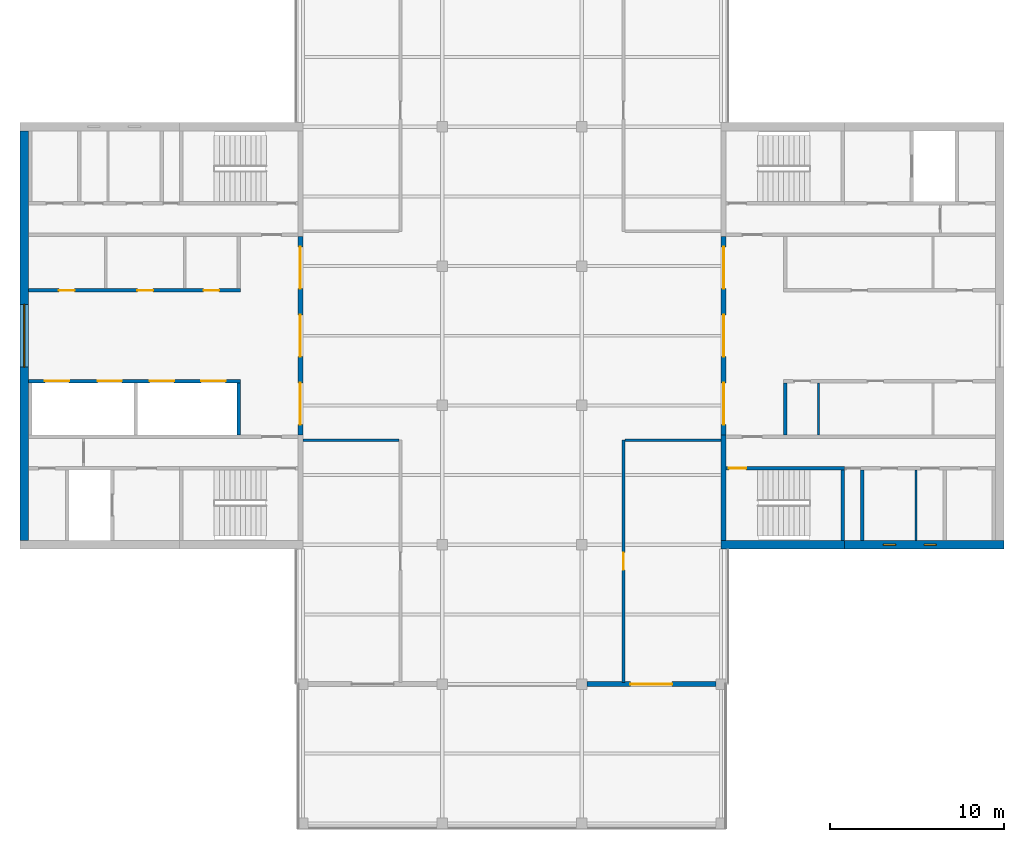
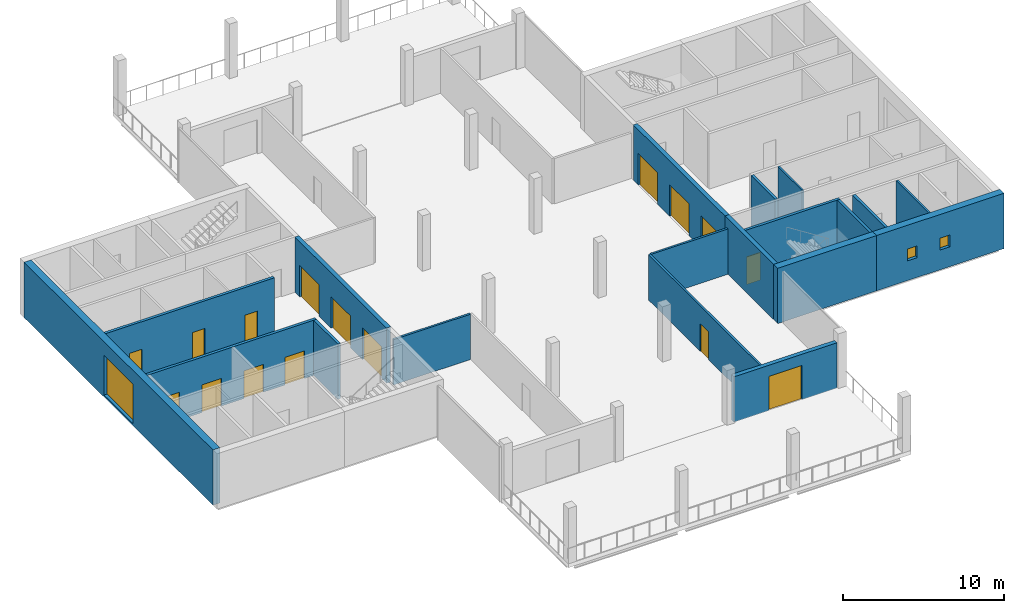
# One storey, part 8 of 12: 19 walls, 16 doors, 3 windows, 19 openings.
"""IFC4 building model written with IfcOpenShell, lengths in metres."""

from ifc_helpers import new_model, si_unit, direction, frame, frame_2d, origin, place, context, subcontext, project, spatial, rectangle, extrude, material, layer, layer_set, constituent, constituent_set, type_object, element, fill, save


model = new_model("IFC4")

# Units and contexts
model_context = context("Model", 3, precision=1e-05, world=origin(), true_north=direction((0.0, 1.0)))
body_context = subcontext(model_context, "Body", "Model", "MODEL_VIEW")
ifc_project = project(units=[si_unit("LENGTHUNIT", "METRE"), si_unit("AREAUNIT", "SQUARE_METRE"), si_unit("VOLUMEUNIT", "CUBIC_METRE"), si_unit("PLANEANGLEUNIT", "RADIAN"), si_unit("MASSUNIT", "GRAM", prefix="KILO")], contexts=[model_context])

# Site, building, storey
site_placement = place(None, origin())
site = spatial("IfcSite", under=ifc_project, at=site_placement, CompositionType="ELEMENT")
building_placement = place(site_placement, origin())
building = spatial("IfcBuilding", under=site, at=building_placement, Name="Crosswind Convention Tower", CompositionType="ELEMENT")
storey_placement = place(building_placement, frame((0.0, 0.0, 332.300048828125)))
storey = spatial("IfcBuildingStorey", under=building, at=storey_placement, Name="L72", CompositionType="ELEMENT", Elevation=332.300048828125)

# Wall
ifc_material_1 = material(Name="Concrete blockwork", Category="masonry")
ifc_layer_1 = layer(ifc_material_1, 0.199951171875)
ifc_layer_set_1 = layer_set([ifc_layer_1], Name="Blockwork partition wall 200")
wall_type_1 = type_object("IfcWallType", Name="Blockwork partition wall 200", PredefinedType="PARTITIONING", material=ifc_layer_set_1)
wall_1_placement = place(storey_placement, frame((145.10009765625, 88.25, 0.0), z_axis=(0.0, 0.0, 1.0), x_axis=(0.0, 1.0, 0.0)))
element("IfcWall", 1, at=wall_1_placement, inside=storey, type_object=wall_type_1, Name="Wall MRSE E L72", PredefinedType="PARTITIONING", context=body_context, shape_type="SweptSolid", body=[
    extrude(rectangle(XDim=4.050048828125, YDim=0.199951171875, at=frame_2d((2.02490234375, 0.0))), origin(), (0.0, 0.0, 1.0), 4.199951171875),
])

# Wall, openings, doors
ifc_material_2 = material(Name="Concrete C50/60", Category="concrete")
ifc_layer_2 = layer(ifc_material_2, 0.300048828125)
ifc_layer_set_2 = layer_set([ifc_layer_2], Name="Concrete C50/60")
wall_type_2 = type_object("IfcWallType", Name="Concrete inner core wall 300", PredefinedType="SHEAR", material=ifc_layer_set_2)
wall_2_placement = place(storey_placement, frame((137.14990234375, 94.300048828125, 0.0), z_axis=(0.0, 0.0, 1.0), x_axis=(0.0, 1.0, 0.0)))
wall_2 = element("IfcWall", 2, at=wall_2_placement, inside=storey, type_object=wall_type_2, Name="Wall SCR E L72", PredefinedType="SHEAR", context=body_context, shape_type="SweptSolid", body=[
    extrude(rectangle(XDim=11.39990234375, YDim=0.300048828125, at=frame_2d((5.699951171875, 0.0))), origin(), (0.0, 0.0, 1.0), 4.199951171875),
])
opening_1_placement = place(wall_2_placement, frame((0.60009765625, 0.0, 0.0)))
opening_1 = element("IfcOpeningElement", 3, at=opening_1_placement, cuts=wall_2, Name="Opening D100", PredefinedType="OPENING", context=body_context, shape_type="SweptSolid", body=[
    extrude(rectangle(XDim=2.39990234375, YDim=2.39990234375, at=frame_2d((1.199951171875, 1.199951171875))), frame((0.0, 0.159912109375, 0.0), z_axis=(0.0, -1.0, 0.0), x_axis=(1.0, 0.0, 0.0)), (0.0, 0.0, 1.0), 0.320068359375),
])
opening_2_placement = place(wall_2_placement, frame((4.5, 0.0, 0.0)))
opening_2 = element("IfcOpeningElement", 4, at=opening_2_placement, cuts=wall_2, Name="Opening D100", PredefinedType="OPENING", context=body_context, shape_type="SweptSolid", body=[
    extrude(rectangle(XDim=2.39990234375, YDim=2.39990234375, at=frame_2d((1.199951171875, 1.199951171875))), frame((0.0, 0.159912109375, 0.0), z_axis=(0.0, -1.0, 0.0), x_axis=(1.0, 0.0, 0.0)), (0.0, 0.0, 1.0), 0.320068359375),
])
opening_3_placement = place(wall_2_placement, frame((8.39990234375, 0.0, 0.0)))
opening_3 = element("IfcOpeningElement", 5, at=opening_3_placement, cuts=wall_2, Name="Opening D100", PredefinedType="OPENING", context=body_context, shape_type="SweptSolid", body=[
    extrude(rectangle(XDim=2.39990234375, YDim=2.39990234375, at=frame_2d((1.199951171875, 1.199951171875))), frame((0.0, 0.159912109375, 0.0), z_axis=(0.0, -1.0, 0.0), x_axis=(1.0, 0.0, 0.0)), (0.0, 0.0, 1.0), 0.320068359375),
])
ifc_material_3 = material(Name="Steel fire door with glazed vision panels", Category="steel")
door_type_1 = type_object("IfcDoorType", Name="Fire-rated double door 2400x2400", OperationType="DOUBLE_DOOR_SINGLE_SWING", PredefinedType="DOOR", material=ifc_material_3)
door_1_placement = place(opening_1_placement, origin())
door_1 = element("IfcDoor", 6, at=door_1_placement, inside=storey, type_object=door_type_1, Name="Lobby door 1 L72", ObjectType="D100", OperationType="DOUBLE_DOOR_SINGLE_SWING", OverallHeight=2.39990234375, OverallWidth=2.39990234375, PredefinedType="DOOR", context=body_context, shape_type="SweptSolid", body=[
    extrude(rectangle(XDim=2.39990234375, YDim=2.39990234375, at=frame_2d((1.199951171875, 1.199951171875))), frame((0.0, 0.02490234375, 0.0), z_axis=(0.0, -1.0, 0.0), x_axis=(1.0, 0.0, 0.0)), (0.0, 0.0, 1.0), 0.050048828125),
])
fill(opening_1, door_1)
door_2_placement = place(opening_2_placement, origin())
door_2 = element("IfcDoor", 7, at=door_2_placement, inside=storey, type_object=door_type_1, Name="Lobby door 2 L72", ObjectType="D100", OperationType="DOUBLE_DOOR_SINGLE_SWING", OverallHeight=2.39990234375, OverallWidth=2.39990234375, PredefinedType="DOOR", context=body_context, shape_type="SweptSolid", body=[
    extrude(rectangle(XDim=2.39990234375, YDim=2.39990234375, at=frame_2d((1.199951171875, 1.199951171875))), frame((0.0, 0.02490234375, 0.0), z_axis=(0.0, -1.0, 0.0), x_axis=(1.0, 0.0, 0.0)), (0.0, 0.0, 1.0), 0.050048828125),
])
fill(opening_2, door_2)
door_3_placement = place(opening_3_placement, origin())
door_3 = element("IfcDoor", 8, at=door_3_placement, inside=storey, type_object=door_type_1, Name="Lobby door 3 L72", ObjectType="D100", OperationType="DOUBLE_DOOR_SINGLE_SWING", OverallHeight=2.39990234375, OverallWidth=2.39990234375, PredefinedType="DOOR", context=body_context, shape_type="SweptSolid", body=[
    extrude(rectangle(XDim=2.39990234375, YDim=2.39990234375, at=frame_2d((1.199951171875, 1.199951171875))), frame((0.0, 0.02490234375, 0.0), z_axis=(0.0, -1.0, 0.0), x_axis=(1.0, 0.0, 0.0)), (0.0, 0.0, 1.0), 0.050048828125),
])
fill(opening_3, door_3)

# Wall
wall_3_placement = place(storey_placement, frame((137.14990234375, 88.25, 0.0), z_axis=(0.0, 0.0, 1.0), x_axis=(0.0, 1.0, 0.0)))
element("IfcWall", 9, at=wall_3_placement, inside=storey, type_object=wall_type_2, Name="Wall EM E L72", PredefinedType="SHEAR", context=body_context, shape_type="SweptSolid", body=[
    extrude(rectangle(XDim=6.050048828125, YDim=0.300048828125, at=frame_2d((3.02490234375, 0.0))), origin(), (0.0, 0.0, 1.0), 4.199951171875),
])

# Wall, openings, doors
wall_4_placement = place(storey_placement, frame((112.85009765625, 105.699951171875, 0.0), z_axis=(0.0, 0.0, 1.0), x_axis=(0.0, -1.0, 0.0)))
wall_4 = element("IfcWall", 10, at=wall_4_placement, inside=storey, type_object=wall_type_2, Name="Wall SCR W L72", PredefinedType="SHEAR", context=body_context, shape_type="SweptSolid", body=[
    extrude(rectangle(XDim=11.39990234375, YDim=0.300048828125, at=frame_2d((5.699951171875, 0.0))), origin(), (0.0, 0.0, 1.0), 4.199951171875),
])
opening_4_placement = place(wall_4_placement, frame((0.60009765625, 0.0, 0.0)))
opening_4 = element("IfcOpeningElement", 11, at=opening_4_placement, cuts=wall_4, Name="Opening D100", PredefinedType="OPENING", context=body_context, shape_type="SweptSolid", body=[
    extrude(rectangle(XDim=2.39990234375, YDim=2.39990234375, at=frame_2d((1.199951171875, 1.199951171875))), frame((0.0, 0.159912109375, 0.0), z_axis=(0.0, -1.0, 0.0), x_axis=(1.0, 0.0, 0.0)), (0.0, 0.0, 1.0), 0.320068359375),
])
opening_5_placement = place(wall_4_placement, frame((4.5, 0.0, 0.0)))
opening_5 = element("IfcOpeningElement", 12, at=opening_5_placement, cuts=wall_4, Name="Opening D100", PredefinedType="OPENING", context=body_context, shape_type="SweptSolid", body=[
    extrude(rectangle(XDim=2.39990234375, YDim=2.39990234375, at=frame_2d((1.199951171875, 1.199951171875))), frame((0.0, 0.159912109375, 0.0), z_axis=(0.0, -1.0, 0.0), x_axis=(1.0, 0.0, 0.0)), (0.0, 0.0, 1.0), 0.320068359375),
])
opening_6_placement = place(wall_4_placement, frame((8.39990234375, 0.0, 0.0)))
opening_6 = element("IfcOpeningElement", 13, at=opening_6_placement, cuts=wall_4, Name="Opening D100", PredefinedType="OPENING", context=body_context, shape_type="SweptSolid", body=[
    extrude(rectangle(XDim=2.39990234375, YDim=2.39990234375, at=frame_2d((1.199951171875, 1.199951171875))), frame((0.0, 0.159912109375, 0.0), z_axis=(0.0, -1.0, 0.0), x_axis=(1.0, 0.0, 0.0)), (0.0, 0.0, 1.0), 0.320068359375),
])
door_4_placement = place(opening_4_placement, origin())
door_4 = element("IfcDoor", 14, at=door_4_placement, inside=storey, type_object=door_type_1, Name="Lobby door 1 L72", ObjectType="D100", OperationType="DOUBLE_DOOR_SINGLE_SWING", OverallHeight=2.39990234375, OverallWidth=2.39990234375, PredefinedType="DOOR", context=body_context, shape_type="SweptSolid", body=[
    extrude(rectangle(XDim=2.39990234375, YDim=2.39990234375, at=frame_2d((1.199951171875, 1.199951171875))), frame((0.0, 0.02490234375, 0.0), z_axis=(0.0, -1.0, 0.0), x_axis=(1.0, 0.0, 0.0)), (0.0, 0.0, 1.0), 0.050048828125),
])
fill(opening_4, door_4)
door_5_placement = place(opening_5_placement, origin())
door_5 = element("IfcDoor", 15, at=door_5_placement, inside=storey, type_object=door_type_1, Name="Lobby door 2 L72", ObjectType="D100", OperationType="DOUBLE_DOOR_SINGLE_SWING", OverallHeight=2.39990234375, OverallWidth=2.39990234375, PredefinedType="DOOR", context=body_context, shape_type="SweptSolid", body=[
    extrude(rectangle(XDim=2.39990234375, YDim=2.39990234375, at=frame_2d((1.199951171875, 1.199951171875))), frame((0.0, 0.02490234375, 0.0), z_axis=(0.0, -1.0, 0.0), x_axis=(1.0, 0.0, 0.0)), (0.0, 0.0, 1.0), 0.050048828125),
])
fill(opening_5, door_5)
door_6_placement = place(opening_6_placement, origin())
door_6 = element("IfcDoor", 16, at=door_6_placement, inside=storey, type_object=door_type_1, Name="Lobby door 3 L72", ObjectType="D100", OperationType="DOUBLE_DOOR_SINGLE_SWING", OverallHeight=2.39990234375, OverallWidth=2.39990234375, PredefinedType="DOOR", context=body_context, shape_type="SweptSolid", body=[
    extrude(rectangle(XDim=2.39990234375, YDim=2.39990234375, at=frame_2d((1.199951171875, 1.199951171875))), frame((0.0, 0.02490234375, 0.0), z_axis=(0.0, -1.0, 0.0), x_axis=(1.0, 0.0, 0.0)), (0.0, 0.0, 1.0), 0.050048828125),
])
fill(opening_6, door_6)

# Walls
ifc_layer_3 = layer(ifc_material_2, 0.199951171875)
ifc_layer_set_3 = layer_set([ifc_layer_3], Name="Concrete C50/60")
wall_type_3 = type_object("IfcWallType", Name="Concrete shaft and stair wall 200", PredefinedType="SHEAR", material=ifc_layer_set_3)
wall_5_placement = place(storey_placement, frame((140.699951171875, 94.300048828125, 0.0), z_axis=(0.0, 0.0, 1.0), x_axis=(0.0, 1.0, 0.0)))
element("IfcWall", 17, at=wall_5_placement, inside=storey, type_object=wall_type_3, Name="Wall RMEND E L72", PredefinedType="SHEAR", context=body_context, shape_type="SweptSolid", body=[
    extrude(rectangle(XDim=3.0, YDim=0.199951171875, at=frame_2d((1.5, 0.0))), origin(), (0.0, 0.0, 1.0), 4.199951171875),
])
wall_6_placement = place(storey_placement, frame((144.0, 88.25, 0.0), z_axis=(0.0, 0.0, 1.0), x_axis=(0.0, 1.0, 0.0)))
element("IfcWall", 18, at=wall_6_placement, inside=storey, type_object=wall_type_3, Name="Wall MSE E L72", PredefinedType="SHEAR", context=body_context, shape_type="SweptSolid", body=[
    extrude(rectangle(XDim=4.050048828125, YDim=0.199951171875, at=frame_2d((2.02490234375, 0.0))), origin(), (0.0, 0.0, 1.0), 4.199951171875),
])

# Wall, opening, door
wall_7_placement = place(storey_placement, frame((137.300048828125, 92.39990234375, 0.0), z_axis=(0.0, 0.0, 1.0), x_axis=(1.0, 0.0, 0.0)))
wall_7 = element("IfcWall", 19, at=wall_7_placement, inside=storey, type_object=wall_type_3, Name="Wall MCW E L72", PredefinedType="SHEAR", context=body_context, shape_type="SweptSolid", body=[
    extrude(rectangle(XDim=6.800048828125, YDim=0.199951171875, at=frame_2d((3.39990234375, 0.0))), origin(), (0.0, 0.0, 1.0), 4.199951171875),
])
opening_7_placement = place(wall_7_placement, frame((0.14990234375, 0.0, 0.0)))
opening_7 = element("IfcOpeningElement", 20, at=opening_7_placement, cuts=wall_7, Name="Opening D103", PredefinedType="OPENING", context=body_context, shape_type="SweptSolid", body=[
    extrude(rectangle(XDim=1.0, YDim=2.10009765625, at=frame_2d((0.5, 1.050048828125))), frame((0.0, 0.10986328125, 0.0), z_axis=(0.0, -1.0, 0.0), x_axis=(1.0, 0.0, 0.0)), (0.0, 0.0, 1.0), 0.219970703125),
])
ifc_material_4 = material(Name="Steel fire door", Category="steel")
door_type_2 = type_object("IfcDoorType", Name="Fire-rated single door 1000x2100", OperationType="NOTDEFINED", PredefinedType="DOOR", material=ifc_material_4)
door_7_placement = place(opening_7_placement, frame((1.0, 0.0, 0.0), z_axis=(0.0, 0.0, 1.0), x_axis=(-1.0, 0.0, 0.0)))
door_7 = element("IfcDoor", 21, at=door_7_placement, inside=storey, type_object=door_type_2, Name="Stair ST2 door L72", ObjectType="D103", OperationType="SINGLE_SWING_RIGHT", OverallHeight=2.10009765625, OverallWidth=1.0, PredefinedType="DOOR", context=body_context, shape_type="SweptSolid", body=[
    extrude(rectangle(XDim=1.0, YDim=2.10009765625, at=frame_2d((0.5, 1.050048828125))), frame((0.0, 0.02490234375, 0.0), z_axis=(0.0, -1.0, 0.0), x_axis=(1.0, 0.0, 0.0)), (0.0, 0.0, 1.0), 0.050048828125),
])
fill(opening_7, door_7)

# Wall
wall_8_placement = place(storey_placement, frame((109.300048828125, 97.300048828125, 0.0), z_axis=(0.0, 0.0, 1.0), x_axis=(0.0, -1.0, 0.0)))
element("IfcWall", 22, at=wall_8_placement, inside=storey, type_object=wall_type_3, Name="Wall RPEND W L72", PredefinedType="SHEAR", context=body_context, shape_type="SweptSolid", body=[
    extrude(rectangle(XDim=3.0, YDim=0.199951171875, at=frame_2d((1.5, 0.0))), origin(), (0.0, 0.0, 1.0), 4.199951171875),
])

# Wall, openings, doors
wall_9_placement = place(storey_placement, frame((109.39990234375, 97.39990234375, 0.0), z_axis=(0.0, 0.0, 1.0), x_axis=(-1.0, 0.0, 0.0)))
wall_9 = element("IfcWall", 23, at=wall_9_placement, inside=storey, type_object=wall_type_3, Name="Wall RPFRONT W L72", PredefinedType="SHEAR", context=body_context, shape_type="SweptSolid", body=[
    extrude(rectangle(XDim=12.14990234375, YDim=0.199951171875, at=frame_2d((6.074951171875, 0.0))), origin(), (0.0, 0.0, 1.0), 4.199951171875),
])
opening_8_placement = place(wall_9_placement, frame((0.85009765625, 0.0, 0.0)))
opening_8 = element("IfcOpeningElement", 24, at=opening_8_placement, cuts=wall_9, Name="Opening LD2", PredefinedType="OPENING", context=body_context, shape_type="SweptSolid", body=[
    extrude(rectangle(XDim=1.39990234375, YDim=2.10009765625, at=frame_2d((0.699951171875, 1.050048828125))), frame((0.0, 0.10986328125, 0.0), z_axis=(0.0, -1.0, 0.0), x_axis=(1.0, 0.0, 0.0)), (0.0, 0.0, 1.0), 0.219970703125),
])
opening_9_placement = place(wall_9_placement, frame((3.800048828125, 0.0, 0.0)))
opening_9 = element("IfcOpeningElement", 25, at=opening_9_placement, cuts=wall_9, Name="Opening LD2", PredefinedType="OPENING", context=body_context, shape_type="SweptSolid", body=[
    extrude(rectangle(XDim=1.39990234375, YDim=2.10009765625, at=frame_2d((0.699951171875, 1.050048828125))), frame((0.0, 0.10986328125, 0.0), z_axis=(0.0, -1.0, 0.0), x_axis=(1.0, 0.0, 0.0)), (0.0, 0.0, 1.0), 0.219970703125),
])
opening_10_placement = place(wall_9_placement, frame((6.800048828125, 0.0, 0.0)))
opening_10 = element("IfcOpeningElement", 26, at=opening_10_placement, cuts=wall_9, Name="Opening LD2", PredefinedType="OPENING", context=body_context, shape_type="SweptSolid", body=[
    extrude(rectangle(XDim=1.39990234375, YDim=2.10009765625, at=frame_2d((0.699951171875, 1.050048828125))), frame((0.0, 0.10986328125, 0.0), z_axis=(0.0, -1.0, 0.0), x_axis=(1.0, 0.0, 0.0)), (0.0, 0.0, 1.0), 0.219970703125),
])
opening_11_placement = place(wall_9_placement, frame((9.824951171875, 0.0, 0.0)))
opening_11 = element("IfcOpeningElement", 27, at=opening_11_placement, cuts=wall_9, Name="Opening LD2", PredefinedType="OPENING", context=body_context, shape_type="SweptSolid", body=[
    extrude(rectangle(XDim=1.39990234375, YDim=2.10009765625, at=frame_2d((0.699951171875, 1.050048828125))), frame((0.0, 0.10986328125, 0.0), z_axis=(0.0, -1.0, 0.0), x_axis=(1.0, 0.0, 0.0)), (0.0, 0.0, 1.0), 0.219970703125),
])
ifc_material_5 = material(Name="Stainless steel", Category="steel")
door_type_3 = type_object("IfcDoorType", Name="Lift landing door 1400x2100", OperationType="DOUBLE_DOOR_SLIDING", PredefinedType="DOOR", material=ifc_material_5)
door_8_placement = place(opening_8_placement, origin())
door_8 = element("IfcDoor", 28, at=door_8_placement, inside=storey, type_object=door_type_3, Name="Landing door HR1 L72", ObjectType="LD2", OperationType="DOUBLE_DOOR_SLIDING", OverallHeight=2.10009765625, OverallWidth=1.39990234375, PredefinedType="DOOR", context=body_context, shape_type="SweptSolid", body=[
    extrude(rectangle(XDim=1.39990234375, YDim=2.10009765625, at=frame_2d((0.699951171875, 1.050048828125))), frame((0.0, 0.02490234375, 0.0), z_axis=(0.0, -1.0, 0.0), x_axis=(1.0, 0.0, 0.0)), (0.0, 0.0, 1.0), 0.050048828125),
])
fill(opening_8, door_8)
door_9_placement = place(opening_9_placement, origin())
door_9 = element("IfcDoor", 29, at=door_9_placement, inside=storey, type_object=door_type_3, Name="Landing door HR2 L72", ObjectType="LD2", OperationType="DOUBLE_DOOR_SLIDING", OverallHeight=2.10009765625, OverallWidth=1.39990234375, PredefinedType="DOOR", context=body_context, shape_type="SweptSolid", body=[
    extrude(rectangle(XDim=1.39990234375, YDim=2.10009765625, at=frame_2d((0.699951171875, 1.050048828125))), frame((0.0, 0.02490234375, 0.0), z_axis=(0.0, -1.0, 0.0), x_axis=(1.0, 0.0, 0.0)), (0.0, 0.0, 1.0), 0.050048828125),
])
fill(opening_9, door_9)
door_10_placement = place(opening_10_placement, origin())
door_10 = element("IfcDoor", 30, at=door_10_placement, inside=storey, type_object=door_type_3, Name="Landing door HR3 L72", ObjectType="LD2", OperationType="DOUBLE_DOOR_SLIDING", OverallHeight=2.10009765625, OverallWidth=1.39990234375, PredefinedType="DOOR", context=body_context, shape_type="SweptSolid", body=[
    extrude(rectangle(XDim=1.39990234375, YDim=2.10009765625, at=frame_2d((0.699951171875, 1.050048828125))), frame((0.0, 0.02490234375, 0.0), z_axis=(0.0, -1.0, 0.0), x_axis=(1.0, 0.0, 0.0)), (0.0, 0.0, 1.0), 0.050048828125),
])
fill(opening_10, door_10)
door_11_placement = place(opening_11_placement, origin())
door_11 = element("IfcDoor", 31, at=door_11_placement, inside=storey, type_object=door_type_3, Name="Landing door HR4 L72", ObjectType="LD2", OperationType="DOUBLE_DOOR_SLIDING", OverallHeight=2.10009765625, OverallWidth=1.39990234375, PredefinedType="DOOR", context=body_context, shape_type="SweptSolid", body=[
    extrude(rectangle(XDim=1.39990234375, YDim=2.10009765625, at=frame_2d((0.699951171875, 1.050048828125))), frame((0.0, 0.02490234375, 0.0), z_axis=(0.0, -1.0, 0.0), x_axis=(1.0, 0.0, 0.0)), (0.0, 0.0, 1.0), 0.050048828125),
])
fill(opening_11, door_11)

wall_10_placement = place(storey_placement, frame((109.39990234375, 102.60009765625, 0.0), z_axis=(0.0, 0.0, 1.0), x_axis=(-1.0, 0.0, 0.0)))
wall_10 = element("IfcWall", 32, at=wall_10_placement, inside=storey, type_object=wall_type_3, Name="Wall RMFRONT W L72", PredefinedType="SHEAR", context=body_context, shape_type="SweptSolid", body=[
    extrude(rectangle(XDim=12.14990234375, YDim=0.199951171875, at=frame_2d((6.074951171875, 0.0))), origin(), (0.0, 0.0, 1.0), 4.199951171875),
])
opening_12_placement = place(wall_10_placement, frame((1.21240234375, 0.0, 0.0)))
opening_12 = element("IfcOpeningElement", 33, at=opening_12_placement, cuts=wall_10, Name="Opening D106", PredefinedType="OPENING", context=body_context, shape_type="SweptSolid", body=[
    extrude(rectangle(XDim=0.89990234375, YDim=2.10009765625, at=frame_2d((0.449951171875, 1.050048828125))), frame((0.0, 0.10986328125, 0.0), z_axis=(0.0, -1.0, 0.0), x_axis=(1.0, 0.0, 0.0)), (0.0, 0.0, 1.0), 0.219970703125),
])
opening_13_placement = place(wall_10_placement, frame((5.008056640625, 0.0, 0.0)))
opening_13 = element("IfcOpeningElement", 34, at=opening_13_placement, cuts=wall_10, Name="Opening D106", PredefinedType="OPENING", context=body_context, shape_type="SweptSolid", body=[
    extrude(rectangle(XDim=0.89990234375, YDim=2.10009765625, at=frame_2d((0.449951171875, 1.050048828125))), frame((0.0, 0.10986328125, 0.0), z_axis=(0.0, -1.0, 0.0), x_axis=(1.0, 0.0, 0.0)), (0.0, 0.0, 1.0), 0.219970703125),
])
opening_14_placement = place(wall_10_placement, frame((9.5205078125, 0.0, 0.0)))
opening_14 = element("IfcOpeningElement", 35, at=opening_14_placement, cuts=wall_10, Name="Opening D106", PredefinedType="OPENING", context=body_context, shape_type="SweptSolid", body=[
    extrude(rectangle(XDim=0.89990234375, YDim=2.10009765625, at=frame_2d((0.449951171875, 1.050048828125))), frame((0.0, 0.10986328125, 0.0), z_axis=(0.0, -1.0, 0.0), x_axis=(1.0, 0.0, 0.0)), (0.0, 0.0, 1.0), 0.219970703125),
])
ifc_material_6 = material(Name="Timber door", Category="wood")
door_type_4 = type_object("IfcDoorType", Name="Single leaf door 900x2100", OperationType="NOTDEFINED", PredefinedType="DOOR", material=ifc_material_6)
door_12_placement = place(opening_12_placement, frame((0.89990234375, 0.0, 0.0), z_axis=(0.0, 0.0, 1.0), x_axis=(-1.0, 0.0, 0.0)))
door_12 = element("IfcDoor", 36, at=door_12_placement, inside=storey, type_object=door_type_4, Name="Door to copy and print room L72", ObjectType="D106", OperationType="SINGLE_SWING_LEFT", OverallHeight=2.10009765625, OverallWidth=0.89990234375, PredefinedType="DOOR", context=body_context, shape_type="SweptSolid", body=[
    extrude(rectangle(XDim=0.89990234375, YDim=2.10009765625, at=frame_2d((0.449951171875, 1.050048828125))), frame((0.0, 0.02490234375, 0.0), z_axis=(0.0, -1.0, 0.0), x_axis=(1.0, 0.0, 0.0)), (0.0, 0.0, 1.0), 0.050048828125),
])
fill(opening_12, door_12)
door_13_placement = place(opening_13_placement, frame((0.89990234375, 0.0, 0.0), z_axis=(0.0, 0.0, 1.0), x_axis=(-1.0, 0.0, 0.0)))
door_13 = element("IfcDoor", 37, at=door_13_placement, inside=storey, type_object=door_type_4, Name="Door to meeting room L72", ObjectType="D106", OperationType="SINGLE_SWING_LEFT", OverallHeight=2.10009765625, OverallWidth=0.89990234375, PredefinedType="DOOR", context=body_context, shape_type="SweptSolid", body=[
    extrude(rectangle(XDim=0.89990234375, YDim=2.10009765625, at=frame_2d((0.449951171875, 1.050048828125))), frame((0.0, 0.02490234375, 0.0), z_axis=(0.0, -1.0, 0.0), x_axis=(1.0, 0.0, 0.0)), (0.0, 0.0, 1.0), 0.050048828125),
])
fill(opening_13, door_13)
door_14_placement = place(opening_14_placement, frame((0.89990234375, 0.0, 0.0), z_axis=(0.0, 0.0, 1.0), x_axis=(-1.0, 0.0, 0.0)))
door_14 = element("IfcDoor", 38, at=door_14_placement, inside=storey, type_object=door_type_4, Name="Door to pantry L72", ObjectType="D106", OperationType="SINGLE_SWING_LEFT", OverallHeight=2.10009765625, OverallWidth=0.89990234375, PredefinedType="DOOR", context=body_context, shape_type="SweptSolid", body=[
    extrude(rectangle(XDim=0.89990234375, YDim=2.10009765625, at=frame_2d((0.449951171875, 1.050048828125))), frame((0.0, 0.02490234375, 0.0), z_axis=(0.0, -1.0, 0.0), x_axis=(1.0, 0.0, 0.0)), (0.0, 0.0, 1.0), 0.050048828125),
])
fill(opening_14, door_14)

# Walls
ifc_material_7 = material(Name="Gypsum plasterboard partition", Category="gypsum")
ifc_layer_4 = layer(ifc_material_7, 0.125)
ifc_layer_set_4 = layer_set([ifc_layer_4], Name="Drywall partition wall 125")
wall_type_4 = type_object("IfcWallType", Name="Drywall partition wall 125", PredefinedType="PARTITIONING", material=ifc_layer_set_4)
wall_11_placement = place(storey_placement, frame((142.592529296875, 94.300048828125, 0.0), z_axis=(0.0, 0.0, 1.0), x_axis=(0.0, 1.0, 0.0)))
element("IfcWall", 39, at=wall_11_placement, inside=storey, type_object=wall_type_4, Name="Wall RMP1 E L72", PredefinedType="PARTITIONING", context=body_context, shape_type="SweptSolid", body=[
    extrude(rectangle(XDim=3.0, YDim=0.125, at=frame_2d((1.5, 0.0))), origin(), (0.0, 0.0, 1.0), 4.199951171875),
])
wall_12_placement = place(storey_placement, frame((148.202880859375, 88.25, 0.0), z_axis=(0.0, 0.0, 1.0), x_axis=(0.0, 1.0, 0.0)))
element("IfcWall", 40, at=wall_12_placement, inside=storey, type_object=wall_type_4, Name="Wall MWP1 E L72", PredefinedType="PARTITIONING", context=body_context, shape_type="SweptSolid", body=[
    extrude(rectangle(XDim=4.050048828125, YDim=0.125, at=frame_2d((2.02490234375, 0.0))), origin(), (0.0, 0.0, 1.0), 4.199951171875),
])

# Wall, opening, door
ifc_material_8 = material(Name="Fire-board partition with mineral wool", Category="gypsum")
ifc_layer_5 = layer(ifc_material_8, 0.14990234375)
ifc_layer_set_5 = layer_set([ifc_layer_5], Name="TENANCY WALL 150 TWO-HOUR BOARD")
wall_type_5 = type_object("IfcWallType", Name="TENANCY WALL 150 TWO-HOUR BOARD", PredefinedType="PARTITIONING", material=ifc_layer_set_5)
wall_13_placement = place(storey_placement, frame((131.39990234375, 80.10009765625, 0.0), z_axis=(0.0, 0.0, 1.0), x_axis=(0.0, 1.0, 0.0)))
wall_13 = element("IfcWall", 41, at=wall_13_placement, inside=storey, type_object=wall_type_5, Name="Tenancy wall WT41", PredefinedType="PARTITIONING", context=body_context, shape_type="SweptSolid", body=[
    extrude(rectangle(XDim=13.89990234375, YDim=0.14990234375, at=frame_2d((6.949951171875, 0.0))), origin(), (0.0, 0.0, 1.0), 3.44287109375),
])
opening_15_placement = place(wall_13_placement, frame((6.449951171875, 0.0, 0.0)))
opening_15 = element("IfcOpeningElement", 42, at=opening_15_placement, cuts=wall_13, Name="Opening L72-51", PredefinedType="OPENING", context=body_context, shape_type="SweptSolid", body=[
    extrude(rectangle(XDim=1.0, YDim=2.10009765625, at=frame_2d((0.5, 1.050048828125))), frame((0.0, 0.0849609375, 0.0), z_axis=(0.0, -1.0, 0.0), x_axis=(1.0, 0.0, 0.0)), (0.0, 0.0, 1.0), 0.169921875),
])
ifc_material_9 = material(Name="Timber fire door", Category="wood")
door_type_5 = type_object("IfcDoorType", Name="TENANCY ENTRANCE DOOR 1000X2100 FD30S", OperationType="NOTDEFINED", PredefinedType="DOOR", material=ifc_material_9)
door_15_placement = place(opening_15_placement, frame((1.0, 0.0, 0.0), z_axis=(0.0, 0.0, 1.0), x_axis=(-1.0, 0.0, 0.0)))
door_15 = element("IfcDoor", 43, at=door_15_placement, inside=storey, type_object=door_type_5, Name="Door L72-51", ObjectType="D41", OperationType="SINGLE_SWING_LEFT", OverallHeight=2.10009765625, OverallWidth=1.0, PredefinedType="DOOR", context=body_context, shape_type="SweptSolid", body=[
    extrude(rectangle(XDim=1.0, YDim=2.10009765625, at=frame_2d((0.5, 1.050048828125))), frame((0.0, 0.02490234375, 0.0), z_axis=(0.0, -1.0, 0.0), x_axis=(1.0, 0.0, 0.0)), (0.0, 0.0, 1.0), 0.050048828125),
])
fill(opening_15, door_15)

# Walls
for number, where, z_axis, x_axis, name in (
    (44, (113.0, 94.0, 0.0), (0.0, 0.0, 1.0), (1.0, 0.0, 0.0), "Tenancy wall WT41"),
    (45, (131.47509765625, 94.0, 0.0), (0.0, 0.0, 1.0), (1.0, 0.0, 0.0), "Tenancy wall WT41"),
):
    element("IfcWall", number, at=place(storey_placement, frame(where, z_axis=z_axis, x_axis=x_axis)), inside=storey, type_object=wall_type_5, Name=name, PredefinedType="PARTITIONING", context=body_context, shape_type="SweptSolid", body=[
        extrude(rectangle(XDim=5.52490234375, YDim=0.14990234375, at=frame_2d((2.762451171875, 0.0))), origin(), (0.0, 0.0, 1.0), 3.44287109375),
    ])

# Wall, opening, door
ifc_material_10 = material(Name="Terracotta rainscreen", Category="ceramic")
ifc_layer_6 = layer(ifc_material_10, 0.02001953125)
ifc_material_11 = material(Name="Mineral wool insulation", Category="insulation")
ifc_layer_7 = layer(ifc_material_11, 0.10009765625)
ifc_layer_8 = layer(ifc_material_1, 0.179931640625)
ifc_layer_set_6 = layer_set([ifc_layer_6, ifc_layer_7, ifc_layer_8], Name="TERRACOTTA INFILL WALL 300")
wall_type_6 = type_object("IfcWallType", Name="TERRACOTTA INFILL WALL 300", PredefinedType="SOLIDWALL", material=ifc_layer_set_6)
wall_14_placement = place(storey_placement, frame((129.300048828125, 80.0, 0.0), z_axis=(0.0, 0.0, 1.0), x_axis=(1.0, 0.0, 0.0)))
wall_14 = element("IfcWall", 46, at=wall_14_placement, inside=storey, type_object=wall_type_6, Name="Portal front wall L72 S 3", PredefinedType="SOLIDWALL", context=body_context, shape_type="SweptSolid", body=[
    extrude(rectangle(XDim=7.39990234375, YDim=0.300048828125, at=frame_2d((3.699951171875, 0.0))), origin(), (0.0, 0.0, 1.0), 3.4462890625),
])
opening_16_placement = place(wall_14_placement, frame((2.5, 0.0, 0.0)))
opening_16 = element("IfcOpeningElement", 47, at=opening_16_placement, cuts=wall_14, Name="Opening D142", PredefinedType="OPENING", context=body_context, shape_type="SweptSolid", body=[
    extrude(rectangle(XDim=2.39990234375, YDim=2.60009765625, at=frame_2d((1.199951171875, 1.300048828125))), frame((0.0, 0.159912109375, 0.0), z_axis=(0.0, -1.0, 0.0), x_axis=(1.0, 0.0, 0.0)), (0.0, 0.0, 1.0), 0.320068359375),
])
ifc_material_12 = material(Name="Aluminium glazed door", Category="aluminium")
door_type_6 = type_object("IfcDoorType", Name="SKY DECK DOUBLE DOOR 2400X2600", OperationType="DOUBLE_DOOR_SINGLE_SWING", PredefinedType="DOOR", material=ifc_material_12)
door_16_placement = place(opening_16_placement, frame((2.39990234375, 0.0, 0.0), z_axis=(0.0, 0.0, 1.0), x_axis=(-1.0, 0.0, 0.0)))
door_16 = element("IfcDoor", 48, at=door_16_placement, inside=storey, type_object=door_type_6, Name="D142 sky deck door L72 S 3", ObjectType="D142", OperationType="DOUBLE_DOOR_SINGLE_SWING", OverallHeight=2.60009765625, OverallWidth=2.39990234375, PredefinedType="DOOR", context=body_context, shape_type="SweptSolid", body=[
    extrude(rectangle(XDim=2.39990234375, YDim=2.60009765625, at=frame_2d((1.199951171875, 1.300048828125))), frame((0.0, 0.02490234375, 0.0), z_axis=(0.0, -1.0, 0.0), x_axis=(1.0, 0.0, 0.0)), (0.0, 0.0, 1.0), 0.050048828125),
])
fill(opening_16, door_16)

# Wall
ifc_material_13 = material(Name="Concrete C60/75", Category="concrete")
ifc_constituent_1 = constituent(ifc_material_13, Name="Structure")
ifc_constituent_2 = constituent(ifc_material_10, Name="Facing")
ifc_constituent_set = constituent_set(constituents=[ifc_constituent_1, ifc_constituent_2], Name="Concrete C60/75, Terracotta rainscreen")
wall_type_7 = type_object("IfcWallType", Name="Terracotta rainscreen on concrete core wall 500", PredefinedType="SHEAR", material=ifc_constituent_set)
wall_15_placement = place(storey_placement, frame((137.0, 88.0, 0.0), z_axis=(0.0, 0.0, 1.0), x_axis=(1.0, 0.0, 0.0)))
element("IfcWall", 49, at=wall_15_placement, inside=storey, type_object=wall_type_7, Name="Wall S1 E L72", PredefinedType="SHEAR", context=body_context, shape_type="SweptSolid", body=[
    extrude(rectangle(XDim=7.10009765625, YDim=0.5, at=frame_2d((3.550048828125, 0.0))), origin(), (0.0, 0.0, 1.0), 4.199951171875),
])

# Wall, openings, windows
wall_16_placement = place(storey_placement, frame((144.10009765625, 88.0, 0.0), z_axis=(0.0, 0.0, 1.0), x_axis=(1.0, 0.0, 0.0)))
wall_16 = element("IfcWall", 50, at=wall_16_placement, inside=storey, type_object=wall_type_7, Name="Wall S2 E L72", PredefinedType="SHEAR", context=body_context, shape_type="SweptSolid", body=[
    extrude(rectangle(XDim=9.14990234375, YDim=0.5, at=frame_2d((4.574951171875, 0.0))), origin(), (0.0, 0.0, 1.0), 4.199951171875),
])
opening_17_placement = place(wall_16_placement, frame((2.22021484375, 0.0, 1.5)))
opening_17 = element("IfcOpeningElement", 51, at=opening_17_placement, cuts=wall_16, Name="Opening W2", PredefinedType="OPENING", context=body_context, shape_type="SweptSolid", body=[
    extrude(rectangle(XDim=0.699951171875, YDim=0.89990234375, at=frame_2d((0.35009765625, 0.449951171875))), frame((0.0, 0.260009765625, 0.0), z_axis=(0.0, -1.0, 0.0), x_axis=(1.0, 0.0, 0.0)), (0.0, 0.0, 1.0), 0.52001953125),
])
opening_18_placement = place(wall_16_placement, frame((4.557861328125, 0.0, 1.5)))
opening_18 = element("IfcOpeningElement", 52, at=opening_18_placement, cuts=wall_16, Name="Opening W2", PredefinedType="OPENING", context=body_context, shape_type="SweptSolid", body=[
    extrude(rectangle(XDim=0.699951171875, YDim=0.89990234375, at=frame_2d((0.35009765625, 0.449951171875))), frame((0.0, 0.260009765625, 0.0), z_axis=(0.0, -1.0, 0.0), x_axis=(1.0, 0.0, 0.0)), (0.0, 0.0, 1.0), 0.52001953125),
])
ifc_material_14 = material(Name="Obscure glass in aluminium frame", Category="aluminium")
window_type_1 = type_object("IfcWindowType", Name="WC window 700x900", PartitioningType="SINGLE_PANEL", PredefinedType="WINDOW", material=ifc_material_14)
window_1_placement = place(opening_17_placement, origin())
window_1 = element("IfcWindow", 53, at=window_1_placement, inside=storey, type_object=window_type_1, Name="WC window L72", ObjectType="W2", OverallHeight=0.89990234375, OverallWidth=0.699951171875, PartitioningType="SINGLE_PANEL", PredefinedType="WINDOW", context=body_context, shape_type="SweptSolid", body=[
    extrude(rectangle(XDim=0.699951171875, YDim=0.89990234375, at=frame_2d((0.35009765625, 0.449951171875))), frame((0.0, 0.030029296875, 0.0), z_axis=(0.0, -1.0, 0.0), x_axis=(1.0, 0.0, 0.0)), (0.0, 0.0, 1.0), 0.06005859375),
])
fill(opening_17, window_1)
window_2_placement = place(opening_18_placement, origin())
window_2 = element("IfcWindow", 54, at=window_2_placement, inside=storey, type_object=window_type_1, Name="WC window L72", ObjectType="W2", OverallHeight=0.89990234375, OverallWidth=0.699951171875, PartitioningType="SINGLE_PANEL", PredefinedType="WINDOW", context=body_context, shape_type="SweptSolid", body=[
    extrude(rectangle(XDim=0.699951171875, YDim=0.89990234375, at=frame_2d((0.35009765625, 0.449951171875))), frame((0.0, 0.030029296875, 0.0), z_axis=(0.0, -1.0, 0.0), x_axis=(1.0, 0.0, 0.0)), (0.0, 0.0, 1.0), 0.06005859375),
])
fill(opening_18, window_2)

# Wall, opening, window
wall_17_placement = place(storey_placement, frame((97.0, 111.75, 0.0), z_axis=(0.0, 0.0, 1.0), x_axis=(0.0, -1.0, 0.0)))
wall_17 = element("IfcWall", 55, at=wall_17_placement, inside=storey, type_object=wall_type_7, Name="Wall O W L72", PredefinedType="SHEAR", context=body_context, shape_type="SweptSolid", body=[
    extrude(rectangle(XDim=23.5, YDim=0.5, at=frame_2d((11.75, 0.0))), origin(), (0.0, 0.0, 1.0), 4.199951171875),
])
opening_19_placement = place(wall_17_placement, frame((9.949951171875, 0.0, 0.14990234375)))
opening_19 = element("IfcOpeningElement", 56, at=opening_19_placement, cuts=wall_17, Name="Opening W1", PredefinedType="OPENING", context=body_context, shape_type="SweptSolid", body=[
    extrude(rectangle(XDim=3.60009765625, YDim=3.0, at=frame_2d((1.800048828125, 1.5))), frame((0.0, 0.260009765625, 0.0), z_axis=(0.0, -1.0, 0.0), x_axis=(1.0, 0.0, 0.0)), (0.0, 0.0, 1.0), 0.52001953125),
])
ifc_material_15 = material(Name="Clear laminated glass in aluminium frame", Category="aluminium")
window_type_2 = type_object("IfcWindowType", Name="Lobby end window 3600x3000", PartitioningType="SINGLE_PANEL", PredefinedType="WINDOW", material=ifc_material_15)
window_3_placement = place(opening_19_placement, origin())
window_3 = element("IfcWindow", 57, at=window_3_placement, inside=storey, type_object=window_type_2, Name="Lobby end window L72", ObjectType="W1", OverallHeight=3.0, OverallWidth=3.60009765625, PartitioningType="SINGLE_PANEL", PredefinedType="WINDOW", context=body_context, shape_type="SweptSolid", body=[
    extrude(rectangle(XDim=3.60009765625, YDim=3.0, at=frame_2d((1.800048828125, 1.5))), frame((0.0, 0.030029296875, 0.0), z_axis=(0.0, -1.0, 0.0), x_axis=(1.0, 0.0, 0.0)), (0.0, 0.0, 1.0), 0.06005859375),
])
fill(opening_19, window_3)

save(model, "model.ifc")
